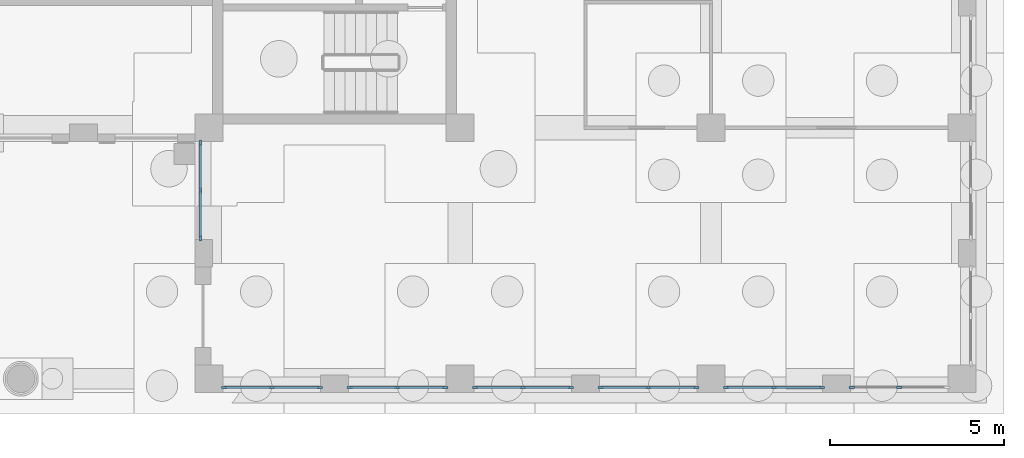
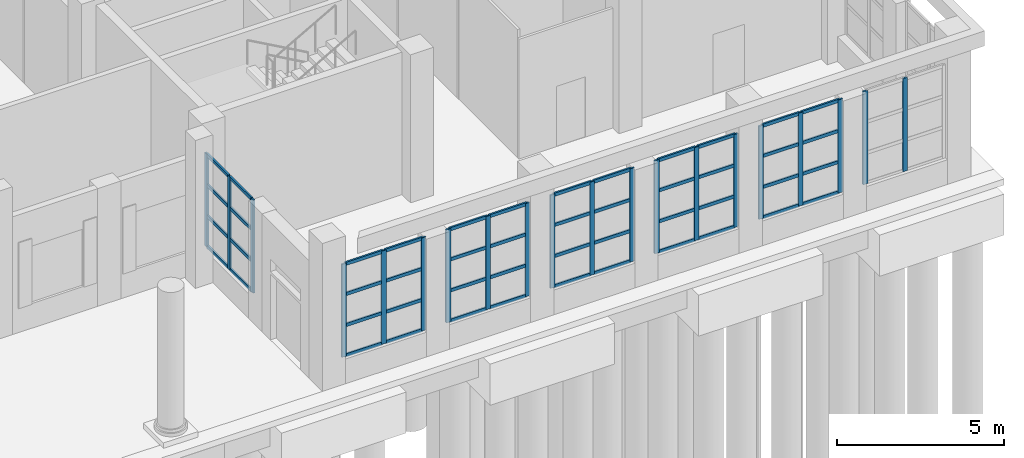
# One storey, part 17 of 80: 68 members, 7 elements without a shape of their own.
"""IFC4 building model written with IfcOpenShell, lengths in metres."""

from ifc_helpers import new_model, si_unit, direction, frame, origin, origin_2d, place, context, subcontext, project, spatial, rectangle, extrude, material, layer, layer_set, material_profile, profile_set, type_object, element, aggregate, save


model = new_model("IFC4")

# Units and contexts
model_context = context("Model", 3, precision=1e-05, world=origin(), true_north=direction((0.0, 1.0)))
body_context = subcontext(model_context, "Body", "Model", "MODEL_VIEW")
ifc_project = project(units=[si_unit("LENGTHUNIT", "METRE"), si_unit("AREAUNIT", "SQUARE_METRE"), si_unit("VOLUMEUNIT", "CUBIC_METRE"), si_unit("PLANEANGLEUNIT", "RADIAN"), si_unit("MASSUNIT", "GRAM", prefix="KILO")], contexts=[model_context])

# Site, building, storey
site_placement = place(None, origin())
site = spatial("IfcSite", under=ifc_project, at=site_placement, CompositionType="ELEMENT")
building_placement = place(site_placement, origin())
building = spatial("IfcBuilding", under=site, at=building_placement, Name="Ussher Court Research Institute", CompositionType="ELEMENT")
storey_placement = place(building_placement, origin())
storey = spatial("IfcBuildingStorey", under=building, at=storey_placement, Name="L00", CompositionType="ELEMENT", Elevation=0.0)

# Curtain wall, members
ifc_material_1 = material(Name="Bronze anodised aluminium with tinted glass", Category="aluminium")
ifc_layer = layer(ifc_material_1, 0.1201171875)
ifc_layer_set = layer_set([ifc_layer], Name="Bronze anodised aluminium with tinted glass")
curtain_wall_type = type_object("IfcCurtainWallType", Name="Curtain wall wet laboratory base storefront", PredefinedType="NOTDEFINED", material=ifc_layer_set)
curtain_wall_1_placement = place(storey_placement, origin())
curtain_wall_1 = element("IfcCurtainWall", 1, at=curtain_wall_1_placement, inside=storey, type_object=curtain_wall_type, Name="Curtain wall CW1 L00", PredefinedType="NOTDEFINED")
ifc_material_2 = material(Name="Bronze anodised aluminium", Category="aluminium")
ifc_material_profile_1 = material_profile(ifc_material_2, rectangle(XDim=0.06005859375, YDim=0.159912109375, at=origin_2d()), Name="Mullion 60x160")
ifc_profile_set_1 = profile_set([ifc_material_profile_1], Name="Bronze anodised aluminium")
member_type_1 = type_object("IfcMemberType", Name="Mullion 60x160", PredefinedType="MULLION", material=ifc_profile_set_1)
member_1_placement = place(storey_placement, frame((102.0, 3.75, 0.89990234375), z_axis=(0.0, 0.0, 1.0), x_axis=(0.0, -1.0, 0.0)))
member_1 = element("IfcMember", 2, at=member_1_placement, type_object=member_type_1, Name="CW1 mullion 2", PredefinedType="MULLION", context=body_context, shape_type="SweptSolid", body=[
    extrude(rectangle(XDim=0.06005859375, YDim=0.159912109375, at=origin_2d()), origin(), (0.0, 0.0, 1.0), 3.400146484375),
])
member_2_placement = place(storey_placement, frame((100.6298828125, 3.75, 0.89990234375), z_axis=(0.0, 0.0, 1.0), x_axis=(0.0, -1.0, 0.0)))
member_2 = element("IfcMember", 3, at=member_2_placement, type_object=member_type_1, Name="CW1 mullion 3", PredefinedType="MULLION", context=body_context, shape_type="SweptSolid", body=[
    extrude(rectangle(XDim=0.06005859375, YDim=0.159912109375, at=origin_2d()), origin(), (0.0, 0.0, 1.0), 3.400146484375),
])
aggregate(curtain_wall_1, [member_1, member_2])

curtain_wall_2_placement = place(storey_placement, origin())
curtain_wall_2 = element("IfcCurtainWall", 4, at=curtain_wall_2_placement, inside=storey, type_object=curtain_wall_type, Name="Curtain wall CW1 L00", PredefinedType="NOTDEFINED")
member_3_placement = place(storey_placement, frame((99.77001953125, 3.75, 0.89990234375), z_axis=(0.0, 0.0, 1.0), x_axis=(0.0, -1.0, 0.0)))
member_3 = element("IfcMember", 5, at=member_3_placement, type_object=member_type_1, Name="CW1 mullion 1", PredefinedType="MULLION", context=body_context, shape_type="SweptSolid", body=[
    extrude(rectangle(XDim=0.06005859375, YDim=0.159912109375, at=origin_2d()), origin(), (0.0, 0.0, 1.0), 3.400146484375),
])
member_4_placement = place(storey_placement, frame((98.39990234375, 3.75, 0.89990234375), z_axis=(0.0, 0.0, 1.0), x_axis=(0.0, -1.0, 0.0)))
member_4 = element("IfcMember", 6, at=member_4_placement, type_object=member_type_1, Name="CW1 mullion 2", PredefinedType="MULLION", context=body_context, shape_type="SweptSolid", body=[
    extrude(rectangle(XDim=0.06005859375, YDim=0.159912109375, at=origin_2d()), origin(), (0.0, 0.0, 1.0), 3.400146484375),
])
member_5_placement = place(storey_placement, frame((97.030029296875, 3.75, 0.89990234375), z_axis=(0.0, 0.0, 1.0), x_axis=(0.0, -1.0, 0.0)))
member_5 = element("IfcMember", 7, at=member_5_placement, type_object=member_type_1, Name="CW1 mullion 3", PredefinedType="MULLION", context=body_context, shape_type="SweptSolid", body=[
    extrude(rectangle(XDim=0.06005859375, YDim=0.159912109375, at=origin_2d()), origin(), (0.0, 0.0, 1.0), 3.400146484375),
])

curtain_wall_3_placement = place(storey_placement, origin())
curtain_wall_3 = element("IfcCurtainWall", 8, at=curtain_wall_3_placement, inside=storey, type_object=curtain_wall_type, Name="Curtain wall CW1 L00", PredefinedType="NOTDEFINED")
member_6_placement = place(storey_placement, frame((96.169921875, 3.75, 0.89990234375), z_axis=(0.0, 0.0, 1.0), x_axis=(0.0, -1.0, 0.0)))
member_6 = element("IfcMember", 9, at=member_6_placement, type_object=member_type_1, Name="CW1 mullion 1", PredefinedType="MULLION", context=body_context, shape_type="SweptSolid", body=[
    extrude(rectangle(XDim=0.06005859375, YDim=0.159912109375, at=origin_2d()), origin(), (0.0, 0.0, 1.0), 3.400146484375),
])
member_7_placement = place(storey_placement, frame((94.800048828125, 3.75, 0.89990234375), z_axis=(0.0, 0.0, 1.0), x_axis=(0.0, -1.0, 0.0)))
member_7 = element("IfcMember", 10, at=member_7_placement, type_object=member_type_1, Name="CW1 mullion 2", PredefinedType="MULLION", context=body_context, shape_type="SweptSolid", body=[
    extrude(rectangle(XDim=0.06005859375, YDim=0.159912109375, at=origin_2d()), origin(), (0.0, 0.0, 1.0), 3.400146484375),
])
member_8_placement = place(storey_placement, frame((93.429931640625, 3.75, 0.89990234375), z_axis=(0.0, 0.0, 1.0), x_axis=(0.0, -1.0, 0.0)))
member_8 = element("IfcMember", 11, at=member_8_placement, type_object=member_type_1, Name="CW1 mullion 3", PredefinedType="MULLION", context=body_context, shape_type="SweptSolid", body=[
    extrude(rectangle(XDim=0.06005859375, YDim=0.159912109375, at=origin_2d()), origin(), (0.0, 0.0, 1.0), 3.400146484375),
])

curtain_wall_4_placement = place(storey_placement, origin())
curtain_wall_4 = element("IfcCurtainWall", 12, at=curtain_wall_4_placement, inside=storey, type_object=curtain_wall_type, Name="Curtain wall CW1 L00", PredefinedType="NOTDEFINED")
member_9_placement = place(storey_placement, frame((92.570068359375, 3.75, 0.89990234375), z_axis=(0.0, 0.0, 1.0), x_axis=(0.0, -1.0, 0.0)))
member_9 = element("IfcMember", 13, at=member_9_placement, type_object=member_type_1, Name="CW1 mullion 1", PredefinedType="MULLION", context=body_context, shape_type="SweptSolid", body=[
    extrude(rectangle(XDim=0.06005859375, YDim=0.159912109375, at=origin_2d()), origin(), (0.0, 0.0, 1.0), 3.400146484375),
])
member_10_placement = place(storey_placement, frame((91.199951171875, 3.75, 0.89990234375), z_axis=(0.0, 0.0, 1.0), x_axis=(0.0, -1.0, 0.0)))
member_10 = element("IfcMember", 14, at=member_10_placement, type_object=member_type_1, Name="CW1 mullion 2", PredefinedType="MULLION", context=body_context, shape_type="SweptSolid", body=[
    extrude(rectangle(XDim=0.06005859375, YDim=0.159912109375, at=origin_2d()), origin(), (0.0, 0.0, 1.0), 3.400146484375),
])
member_11_placement = place(storey_placement, frame((89.830078125, 3.75, 0.89990234375), z_axis=(0.0, 0.0, 1.0), x_axis=(0.0, -1.0, 0.0)))
member_11 = element("IfcMember", 15, at=member_11_placement, type_object=member_type_1, Name="CW1 mullion 3", PredefinedType="MULLION", context=body_context, shape_type="SweptSolid", body=[
    extrude(rectangle(XDim=0.06005859375, YDim=0.159912109375, at=origin_2d()), origin(), (0.0, 0.0, 1.0), 3.400146484375),
])

curtain_wall_5_placement = place(storey_placement, origin())
curtain_wall_5 = element("IfcCurtainWall", 16, at=curtain_wall_5_placement, inside=storey, type_object=curtain_wall_type, Name="Curtain wall CW1 L00", PredefinedType="NOTDEFINED")
member_12_placement = place(storey_placement, frame((88.969970703125, 3.75, 0.89990234375), z_axis=(0.0, 0.0, 1.0), x_axis=(0.0, -1.0, 0.0)))
member_12 = element("IfcMember", 17, at=member_12_placement, type_object=member_type_1, Name="CW1 mullion 1", PredefinedType="MULLION", context=body_context, shape_type="SweptSolid", body=[
    extrude(rectangle(XDim=0.06005859375, YDim=0.159912109375, at=origin_2d()), origin(), (0.0, 0.0, 1.0), 3.400146484375),
])
member_13_placement = place(storey_placement, frame((87.60009765625, 3.75, 0.89990234375), z_axis=(0.0, 0.0, 1.0), x_axis=(0.0, -1.0, 0.0)))
member_13 = element("IfcMember", 18, at=member_13_placement, type_object=member_type_1, Name="CW1 mullion 2", PredefinedType="MULLION", context=body_context, shape_type="SweptSolid", body=[
    extrude(rectangle(XDim=0.06005859375, YDim=0.159912109375, at=origin_2d()), origin(), (0.0, 0.0, 1.0), 3.400146484375),
])
member_14_placement = place(storey_placement, frame((86.22998046875, 3.75, 0.89990234375), z_axis=(0.0, 0.0, 1.0), x_axis=(0.0, -1.0, 0.0)))
member_14 = element("IfcMember", 19, at=member_14_placement, type_object=member_type_1, Name="CW1 mullion 3", PredefinedType="MULLION", context=body_context, shape_type="SweptSolid", body=[
    extrude(rectangle(XDim=0.06005859375, YDim=0.159912109375, at=origin_2d()), origin(), (0.0, 0.0, 1.0), 3.400146484375),
])

curtain_wall_6_placement = place(storey_placement, origin())
curtain_wall_6 = element("IfcCurtainWall", 20, at=curtain_wall_6_placement, inside=storey, type_object=curtain_wall_type, Name="Curtain wall CW1 L00", PredefinedType="NOTDEFINED")
member_15_placement = place(storey_placement, frame((85.3701171875, 3.75, 0.89990234375), z_axis=(0.0, 0.0, 1.0), x_axis=(0.0, -1.0, 0.0)))
member_15 = element("IfcMember", 21, at=member_15_placement, type_object=member_type_1, Name="CW1 mullion 1", PredefinedType="MULLION", context=body_context, shape_type="SweptSolid", body=[
    extrude(rectangle(XDim=0.06005859375, YDim=0.159912109375, at=origin_2d()), origin(), (0.0, 0.0, 1.0), 3.400146484375),
])
member_16_placement = place(storey_placement, frame((84.0, 3.75, 0.89990234375), z_axis=(0.0, 0.0, 1.0), x_axis=(0.0, -1.0, 0.0)))
member_16 = element("IfcMember", 22, at=member_16_placement, type_object=member_type_1, Name="CW1 mullion 2", PredefinedType="MULLION", context=body_context, shape_type="SweptSolid", body=[
    extrude(rectangle(XDim=0.06005859375, YDim=0.159912109375, at=origin_2d()), origin(), (0.0, 0.0, 1.0), 3.400146484375),
])
member_17_placement = place(storey_placement, frame((82.6298828125, 3.75, 0.89990234375), z_axis=(0.0, 0.0, 1.0), x_axis=(0.0, -1.0, 0.0)))
member_17 = element("IfcMember", 23, at=member_17_placement, type_object=member_type_1, Name="CW1 mullion 3", PredefinedType="MULLION", context=body_context, shape_type="SweptSolid", body=[
    extrude(rectangle(XDim=0.06005859375, YDim=0.159912109375, at=origin_2d()), origin(), (0.0, 0.0, 1.0), 3.400146484375),
])

curtain_wall_7_placement = place(storey_placement, origin())
curtain_wall_7 = element("IfcCurtainWall", 24, at=curtain_wall_7_placement, inside=storey, type_object=curtain_wall_type, Name="Curtain wall CW1 L00", PredefinedType="NOTDEFINED")
member_18_placement = place(storey_placement, frame((81.949951171875, 8.030029296875, 0.89990234375), z_axis=(0.0, 0.0, 1.0), x_axis=(-1.0, 0.0, 0.0)))
member_18 = element("IfcMember", 25, at=member_18_placement, type_object=member_type_1, Name="CW1 mullion 1", PredefinedType="MULLION", context=body_context, shape_type="SweptSolid", body=[
    extrude(rectangle(XDim=0.06005859375, YDim=0.159912109375, at=origin_2d()), origin(), (0.0, 0.0, 1.0), 3.400146484375),
])
member_19_placement = place(storey_placement, frame((81.949951171875, 9.39990234375, 0.89990234375), z_axis=(0.0, 0.0, 1.0), x_axis=(-1.0, 0.0, 0.0)))
member_19 = element("IfcMember", 26, at=member_19_placement, type_object=member_type_1, Name="CW1 mullion 2", PredefinedType="MULLION", context=body_context, shape_type="SweptSolid", body=[
    extrude(rectangle(XDim=0.06005859375, YDim=0.159912109375, at=origin_2d()), origin(), (0.0, 0.0, 1.0), 3.400146484375),
])
member_20_placement = place(storey_placement, frame((81.949951171875, 10.77001953125, 0.89990234375), z_axis=(0.0, 0.0, 1.0), x_axis=(-1.0, 0.0, 0.0)))
member_20 = element("IfcMember", 27, at=member_20_placement, type_object=member_type_1, Name="CW1 mullion 3", PredefinedType="MULLION", context=body_context, shape_type="SweptSolid", body=[
    extrude(rectangle(XDim=0.06005859375, YDim=0.159912109375, at=origin_2d()), origin(), (0.0, 0.0, 1.0), 3.400146484375),
])

# Member
ifc_material_3 = material(Name="Bronze anodised aluminium", Category="aluminium")
ifc_material_profile_2 = material_profile(ifc_material_3, rectangle(XDim=0.06005859375, YDim=0.1201171875, at=origin_2d()), Name="Transom 60x120")
ifc_profile_set_2 = profile_set([ifc_material_profile_2], Name="Bronze anodised aluminium")
member_type_2 = type_object("IfcMemberType", Name="Transom 60x120", PredefinedType="USERDEFINED", material=ifc_profile_set_2)
member_21_placement = place(storey_placement, frame((99.739990234375, 3.75, 0.929931640625), z_axis=(-1.0, 0.0, 0.0), x_axis=(0.0, -1.0, 0.0)))
member_21 = element("IfcMember", 28, at=member_21_placement, type_object=member_type_2, Name="CW1 transom 1.1", ObjectType="TRANSOM", PredefinedType="USERDEFINED", context=body_context, shape_type="SweptSolid", body=[
    extrude(rectangle(XDim=0.06005859375, YDim=0.1201171875, at=origin_2d()), origin(), (0.0, 0.0, 1.0), 1.31005859375),
])

member_22_placement = place(storey_placement, frame((99.739990234375, 3.75, 2.033203125), z_axis=(-1.0, 0.0, 0.0), x_axis=(0.0, -1.0, 0.0)))
member_22 = element("IfcMember", 29, at=member_22_placement, type_object=member_type_2, Name="CW1 transom 1.2", ObjectType="TRANSOM", PredefinedType="USERDEFINED", context=body_context, shape_type="SweptSolid", body=[
    extrude(rectangle(XDim=0.06005859375, YDim=0.1201171875, at=origin_2d()), origin(), (0.0, 0.0, 1.0), 1.31005859375),
])

member_23_placement = place(storey_placement, frame((99.739990234375, 3.75, 3.166748046875), z_axis=(-1.0, 0.0, 0.0), x_axis=(0.0, -1.0, 0.0)))
member_23 = element("IfcMember", 30, at=member_23_placement, type_object=member_type_2, Name="CW1 transom 1.3", ObjectType="TRANSOM", PredefinedType="USERDEFINED", context=body_context, shape_type="SweptSolid", body=[
    extrude(rectangle(XDim=0.06005859375, YDim=0.1201171875, at=origin_2d()), origin(), (0.0, 0.0, 1.0), 1.31005859375),
])

member_24_placement = place(storey_placement, frame((99.739990234375, 3.75, 4.27001953125), z_axis=(-1.0, 0.0, 0.0), x_axis=(0.0, -1.0, 0.0)))
member_24 = element("IfcMember", 31, at=member_24_placement, type_object=member_type_2, Name="CW1 transom 1.4", ObjectType="TRANSOM", PredefinedType="USERDEFINED", context=body_context, shape_type="SweptSolid", body=[
    extrude(rectangle(XDim=0.06005859375, YDim=0.1201171875, at=origin_2d()), origin(), (0.0, 0.0, 1.0), 1.31005859375),
])

member_25_placement = place(storey_placement, frame((98.3701171875, 3.75, 0.929931640625), z_axis=(-1.0, 0.0, 0.0), x_axis=(0.0, -1.0, 0.0)))
member_25 = element("IfcMember", 32, at=member_25_placement, type_object=member_type_2, Name="CW1 transom 2.1", ObjectType="TRANSOM", PredefinedType="USERDEFINED", context=body_context, shape_type="SweptSolid", body=[
    extrude(rectangle(XDim=0.06005859375, YDim=0.1201171875, at=origin_2d()), origin(), (0.0, 0.0, 1.0), 1.31005859375),
])

member_26_placement = place(storey_placement, frame((98.3701171875, 3.75, 2.033203125), z_axis=(-1.0, 0.0, 0.0), x_axis=(0.0, -1.0, 0.0)))
member_26 = element("IfcMember", 33, at=member_26_placement, type_object=member_type_2, Name="CW1 transom 2.2", ObjectType="TRANSOM", PredefinedType="USERDEFINED", context=body_context, shape_type="SweptSolid", body=[
    extrude(rectangle(XDim=0.06005859375, YDim=0.1201171875, at=origin_2d()), origin(), (0.0, 0.0, 1.0), 1.31005859375),
])

member_27_placement = place(storey_placement, frame((98.3701171875, 3.75, 3.166748046875), z_axis=(-1.0, 0.0, 0.0), x_axis=(0.0, -1.0, 0.0)))
member_27 = element("IfcMember", 34, at=member_27_placement, type_object=member_type_2, Name="CW1 transom 2.3", ObjectType="TRANSOM", PredefinedType="USERDEFINED", context=body_context, shape_type="SweptSolid", body=[
    extrude(rectangle(XDim=0.06005859375, YDim=0.1201171875, at=origin_2d()), origin(), (0.0, 0.0, 1.0), 1.31005859375),
])

member_28_placement = place(storey_placement, frame((98.3701171875, 3.75, 4.27001953125), z_axis=(-1.0, 0.0, 0.0), x_axis=(0.0, -1.0, 0.0)))
member_28 = element("IfcMember", 35, at=member_28_placement, type_object=member_type_2, Name="CW1 transom 2.4", ObjectType="TRANSOM", PredefinedType="USERDEFINED", context=body_context, shape_type="SweptSolid", body=[
    extrude(rectangle(XDim=0.06005859375, YDim=0.1201171875, at=origin_2d()), origin(), (0.0, 0.0, 1.0), 1.31005859375),
])

aggregate(curtain_wall_2, [member_3, member_4, member_5, member_21, member_22, member_23, member_24, member_25, member_26, member_27, member_28])

member_29_placement = place(storey_placement, frame((96.139892578125, 3.75, 0.929931640625), z_axis=(-1.0, 0.0, 0.0), x_axis=(0.0, -1.0, 0.0)))
member_29 = element("IfcMember", 36, at=member_29_placement, type_object=member_type_2, Name="CW1 transom 1.1", ObjectType="TRANSOM", PredefinedType="USERDEFINED", context=body_context, shape_type="SweptSolid", body=[
    extrude(rectangle(XDim=0.06005859375, YDim=0.1201171875, at=origin_2d()), origin(), (0.0, 0.0, 1.0), 1.309814453125),
])

member_30_placement = place(storey_placement, frame((96.139892578125, 3.75, 2.033203125), z_axis=(-1.0, 0.0, 0.0), x_axis=(0.0, -1.0, 0.0)))
member_30 = element("IfcMember", 37, at=member_30_placement, type_object=member_type_2, Name="CW1 transom 1.2", ObjectType="TRANSOM", PredefinedType="USERDEFINED", context=body_context, shape_type="SweptSolid", body=[
    extrude(rectangle(XDim=0.06005859375, YDim=0.1201171875, at=origin_2d()), origin(), (0.0, 0.0, 1.0), 1.309814453125),
])

member_31_placement = place(storey_placement, frame((96.139892578125, 3.75, 3.166748046875), z_axis=(-1.0, 0.0, 0.0), x_axis=(0.0, -1.0, 0.0)))
member_31 = element("IfcMember", 38, at=member_31_placement, type_object=member_type_2, Name="CW1 transom 1.3", ObjectType="TRANSOM", PredefinedType="USERDEFINED", context=body_context, shape_type="SweptSolid", body=[
    extrude(rectangle(XDim=0.06005859375, YDim=0.1201171875, at=origin_2d()), origin(), (0.0, 0.0, 1.0), 1.309814453125),
])

member_32_placement = place(storey_placement, frame((96.139892578125, 3.75, 4.27001953125), z_axis=(-1.0, 0.0, 0.0), x_axis=(0.0, -1.0, 0.0)))
member_32 = element("IfcMember", 39, at=member_32_placement, type_object=member_type_2, Name="CW1 transom 1.4", ObjectType="TRANSOM", PredefinedType="USERDEFINED", context=body_context, shape_type="SweptSolid", body=[
    extrude(rectangle(XDim=0.06005859375, YDim=0.1201171875, at=origin_2d()), origin(), (0.0, 0.0, 1.0), 1.309814453125),
])

member_33_placement = place(storey_placement, frame((94.77001953125, 3.75, 0.929931640625), z_axis=(-1.0, 0.0, 0.0), x_axis=(0.0, -1.0, 0.0)))
member_33 = element("IfcMember", 40, at=member_33_placement, type_object=member_type_2, Name="CW1 transom 2.1", ObjectType="TRANSOM", PredefinedType="USERDEFINED", context=body_context, shape_type="SweptSolid", body=[
    extrude(rectangle(XDim=0.06005859375, YDim=0.1201171875, at=origin_2d()), origin(), (0.0, 0.0, 1.0), 1.31005859375),
])

member_34_placement = place(storey_placement, frame((94.77001953125, 3.75, 2.033203125), z_axis=(-1.0, 0.0, 0.0), x_axis=(0.0, -1.0, 0.0)))
member_34 = element("IfcMember", 41, at=member_34_placement, type_object=member_type_2, Name="CW1 transom 2.2", ObjectType="TRANSOM", PredefinedType="USERDEFINED", context=body_context, shape_type="SweptSolid", body=[
    extrude(rectangle(XDim=0.06005859375, YDim=0.1201171875, at=origin_2d()), origin(), (0.0, 0.0, 1.0), 1.31005859375),
])

member_35_placement = place(storey_placement, frame((94.77001953125, 3.75, 3.166748046875), z_axis=(-1.0, 0.0, 0.0), x_axis=(0.0, -1.0, 0.0)))
member_35 = element("IfcMember", 42, at=member_35_placement, type_object=member_type_2, Name="CW1 transom 2.3", ObjectType="TRANSOM", PredefinedType="USERDEFINED", context=body_context, shape_type="SweptSolid", body=[
    extrude(rectangle(XDim=0.06005859375, YDim=0.1201171875, at=origin_2d()), origin(), (0.0, 0.0, 1.0), 1.31005859375),
])

member_36_placement = place(storey_placement, frame((94.77001953125, 3.75, 4.27001953125), z_axis=(-1.0, 0.0, 0.0), x_axis=(0.0, -1.0, 0.0)))
member_36 = element("IfcMember", 43, at=member_36_placement, type_object=member_type_2, Name="CW1 transom 2.4", ObjectType="TRANSOM", PredefinedType="USERDEFINED", context=body_context, shape_type="SweptSolid", body=[
    extrude(rectangle(XDim=0.06005859375, YDim=0.1201171875, at=origin_2d()), origin(), (0.0, 0.0, 1.0), 1.31005859375),
])

aggregate(curtain_wall_3, [member_6, member_7, member_8, member_29, member_30, member_31, member_32, member_33, member_34, member_35, member_36])

member_37_placement = place(storey_placement, frame((92.5400390625, 3.75, 0.929931640625), z_axis=(-1.0, 0.0, 0.0), x_axis=(0.0, -1.0, 0.0)))
member_37 = element("IfcMember", 44, at=member_37_placement, type_object=member_type_2, Name="CW1 transom 1.1", ObjectType="TRANSOM", PredefinedType="USERDEFINED", context=body_context, shape_type="SweptSolid", body=[
    extrude(rectangle(XDim=0.06005859375, YDim=0.1201171875, at=origin_2d()), origin(), (0.0, 0.0, 1.0), 1.31005859375),
])

member_38_placement = place(storey_placement, frame((92.5400390625, 3.75, 2.033203125), z_axis=(-1.0, 0.0, 0.0), x_axis=(0.0, -1.0, 0.0)))
member_38 = element("IfcMember", 45, at=member_38_placement, type_object=member_type_2, Name="CW1 transom 1.2", ObjectType="TRANSOM", PredefinedType="USERDEFINED", context=body_context, shape_type="SweptSolid", body=[
    extrude(rectangle(XDim=0.06005859375, YDim=0.1201171875, at=origin_2d()), origin(), (0.0, 0.0, 1.0), 1.31005859375),
])

member_39_placement = place(storey_placement, frame((92.5400390625, 3.75, 3.166748046875), z_axis=(-1.0, 0.0, 0.0), x_axis=(0.0, -1.0, 0.0)))
member_39 = element("IfcMember", 46, at=member_39_placement, type_object=member_type_2, Name="CW1 transom 1.3", ObjectType="TRANSOM", PredefinedType="USERDEFINED", context=body_context, shape_type="SweptSolid", body=[
    extrude(rectangle(XDim=0.06005859375, YDim=0.1201171875, at=origin_2d()), origin(), (0.0, 0.0, 1.0), 1.31005859375),
])

member_40_placement = place(storey_placement, frame((92.5400390625, 3.75, 4.27001953125), z_axis=(-1.0, 0.0, 0.0), x_axis=(0.0, -1.0, 0.0)))
member_40 = element("IfcMember", 47, at=member_40_placement, type_object=member_type_2, Name="CW1 transom 1.4", ObjectType="TRANSOM", PredefinedType="USERDEFINED", context=body_context, shape_type="SweptSolid", body=[
    extrude(rectangle(XDim=0.06005859375, YDim=0.1201171875, at=origin_2d()), origin(), (0.0, 0.0, 1.0), 1.31005859375),
])

member_41_placement = place(storey_placement, frame((91.169921875, 3.75, 0.929931640625), z_axis=(-1.0, 0.0, 0.0), x_axis=(0.0, -1.0, 0.0)))
member_41 = element("IfcMember", 48, at=member_41_placement, type_object=member_type_2, Name="CW1 transom 2.1", ObjectType="TRANSOM", PredefinedType="USERDEFINED", context=body_context, shape_type="SweptSolid", body=[
    extrude(rectangle(XDim=0.06005859375, YDim=0.1201171875, at=origin_2d()), origin(), (0.0, 0.0, 1.0), 1.309814453125),
])

member_42_placement = place(storey_placement, frame((91.169921875, 3.75, 2.033203125), z_axis=(-1.0, 0.0, 0.0), x_axis=(0.0, -1.0, 0.0)))
member_42 = element("IfcMember", 49, at=member_42_placement, type_object=member_type_2, Name="CW1 transom 2.2", ObjectType="TRANSOM", PredefinedType="USERDEFINED", context=body_context, shape_type="SweptSolid", body=[
    extrude(rectangle(XDim=0.06005859375, YDim=0.1201171875, at=origin_2d()), origin(), (0.0, 0.0, 1.0), 1.309814453125),
])

member_43_placement = place(storey_placement, frame((91.169921875, 3.75, 3.166748046875), z_axis=(-1.0, 0.0, 0.0), x_axis=(0.0, -1.0, 0.0)))
member_43 = element("IfcMember", 50, at=member_43_placement, type_object=member_type_2, Name="CW1 transom 2.3", ObjectType="TRANSOM", PredefinedType="USERDEFINED", context=body_context, shape_type="SweptSolid", body=[
    extrude(rectangle(XDim=0.06005859375, YDim=0.1201171875, at=origin_2d()), origin(), (0.0, 0.0, 1.0), 1.309814453125),
])

member_44_placement = place(storey_placement, frame((91.169921875, 3.75, 4.27001953125), z_axis=(-1.0, 0.0, 0.0), x_axis=(0.0, -1.0, 0.0)))
member_44 = element("IfcMember", 51, at=member_44_placement, type_object=member_type_2, Name="CW1 transom 2.4", ObjectType="TRANSOM", PredefinedType="USERDEFINED", context=body_context, shape_type="SweptSolid", body=[
    extrude(rectangle(XDim=0.06005859375, YDim=0.1201171875, at=origin_2d()), origin(), (0.0, 0.0, 1.0), 1.309814453125),
])

aggregate(curtain_wall_4, [member_9, member_10, member_11, member_37, member_38, member_39, member_40, member_41, member_42, member_43, member_44])

member_45_placement = place(storey_placement, frame((88.93994140625, 3.75, 0.929931640625), z_axis=(-1.0, 0.0, 0.0), x_axis=(0.0, -1.0, 0.0)))
member_45 = element("IfcMember", 52, at=member_45_placement, type_object=member_type_2, Name="CW1 transom 1.1", ObjectType="TRANSOM", PredefinedType="USERDEFINED", context=body_context, shape_type="SweptSolid", body=[
    extrude(rectangle(XDim=0.06005859375, YDim=0.1201171875, at=origin_2d()), origin(), (0.0, 0.0, 1.0), 1.31005859375),
])

member_46_placement = place(storey_placement, frame((88.93994140625, 3.75, 2.033203125), z_axis=(-1.0, 0.0, 0.0), x_axis=(0.0, -1.0, 0.0)))
member_46 = element("IfcMember", 53, at=member_46_placement, type_object=member_type_2, Name="CW1 transom 1.2", ObjectType="TRANSOM", PredefinedType="USERDEFINED", context=body_context, shape_type="SweptSolid", body=[
    extrude(rectangle(XDim=0.06005859375, YDim=0.1201171875, at=origin_2d()), origin(), (0.0, 0.0, 1.0), 1.31005859375),
])

member_47_placement = place(storey_placement, frame((88.93994140625, 3.75, 3.166748046875), z_axis=(-1.0, 0.0, 0.0), x_axis=(0.0, -1.0, 0.0)))
member_47 = element("IfcMember", 54, at=member_47_placement, type_object=member_type_2, Name="CW1 transom 1.3", ObjectType="TRANSOM", PredefinedType="USERDEFINED", context=body_context, shape_type="SweptSolid", body=[
    extrude(rectangle(XDim=0.06005859375, YDim=0.1201171875, at=origin_2d()), origin(), (0.0, 0.0, 1.0), 1.31005859375),
])

member_48_placement = place(storey_placement, frame((88.93994140625, 3.75, 4.27001953125), z_axis=(-1.0, 0.0, 0.0), x_axis=(0.0, -1.0, 0.0)))
member_48 = element("IfcMember", 55, at=member_48_placement, type_object=member_type_2, Name="CW1 transom 1.4", ObjectType="TRANSOM", PredefinedType="USERDEFINED", context=body_context, shape_type="SweptSolid", body=[
    extrude(rectangle(XDim=0.06005859375, YDim=0.1201171875, at=origin_2d()), origin(), (0.0, 0.0, 1.0), 1.31005859375),
])

member_49_placement = place(storey_placement, frame((87.570068359375, 3.75, 0.929931640625), z_axis=(-1.0, 0.0, 0.0), x_axis=(0.0, -1.0, 0.0)))
member_49 = element("IfcMember", 56, at=member_49_placement, type_object=member_type_2, Name="CW1 transom 2.1", ObjectType="TRANSOM", PredefinedType="USERDEFINED", context=body_context, shape_type="SweptSolid", body=[
    extrude(rectangle(XDim=0.06005859375, YDim=0.1201171875, at=origin_2d()), origin(), (0.0, 0.0, 1.0), 1.31005859375),
])

member_50_placement = place(storey_placement, frame((87.570068359375, 3.75, 2.033203125), z_axis=(-1.0, 0.0, 0.0), x_axis=(0.0, -1.0, 0.0)))
member_50 = element("IfcMember", 57, at=member_50_placement, type_object=member_type_2, Name="CW1 transom 2.2", ObjectType="TRANSOM", PredefinedType="USERDEFINED", context=body_context, shape_type="SweptSolid", body=[
    extrude(rectangle(XDim=0.06005859375, YDim=0.1201171875, at=origin_2d()), origin(), (0.0, 0.0, 1.0), 1.31005859375),
])

member_51_placement = place(storey_placement, frame((87.570068359375, 3.75, 3.166748046875), z_axis=(-1.0, 0.0, 0.0), x_axis=(0.0, -1.0, 0.0)))
member_51 = element("IfcMember", 58, at=member_51_placement, type_object=member_type_2, Name="CW1 transom 2.3", ObjectType="TRANSOM", PredefinedType="USERDEFINED", context=body_context, shape_type="SweptSolid", body=[
    extrude(rectangle(XDim=0.06005859375, YDim=0.1201171875, at=origin_2d()), origin(), (0.0, 0.0, 1.0), 1.31005859375),
])

member_52_placement = place(storey_placement, frame((87.570068359375, 3.75, 4.27001953125), z_axis=(-1.0, 0.0, 0.0), x_axis=(0.0, -1.0, 0.0)))
member_52 = element("IfcMember", 59, at=member_52_placement, type_object=member_type_2, Name="CW1 transom 2.4", ObjectType="TRANSOM", PredefinedType="USERDEFINED", context=body_context, shape_type="SweptSolid", body=[
    extrude(rectangle(XDim=0.06005859375, YDim=0.1201171875, at=origin_2d()), origin(), (0.0, 0.0, 1.0), 1.31005859375),
])

aggregate(curtain_wall_5, [member_12, member_13, member_14, member_45, member_46, member_47, member_48, member_49, member_50, member_51, member_52])

member_53_placement = place(storey_placement, frame((85.340087890625, 3.75, 0.929931640625), z_axis=(-1.0, 0.0, 0.0), x_axis=(0.0, -1.0, 0.0)))
member_53 = element("IfcMember", 60, at=member_53_placement, type_object=member_type_2, Name="CW1 transom 1.1", ObjectType="TRANSOM", PredefinedType="USERDEFINED", context=body_context, shape_type="SweptSolid", body=[
    extrude(rectangle(XDim=0.06005859375, YDim=0.1201171875, at=origin_2d()), origin(), (0.0, 0.0, 1.0), 1.31005859375),
])

member_54_placement = place(storey_placement, frame((85.340087890625, 3.75, 2.033203125), z_axis=(-1.0, 0.0, 0.0), x_axis=(0.0, -1.0, 0.0)))
member_54 = element("IfcMember", 61, at=member_54_placement, type_object=member_type_2, Name="CW1 transom 1.2", ObjectType="TRANSOM", PredefinedType="USERDEFINED", context=body_context, shape_type="SweptSolid", body=[
    extrude(rectangle(XDim=0.06005859375, YDim=0.1201171875, at=origin_2d()), origin(), (0.0, 0.0, 1.0), 1.31005859375),
])

member_55_placement = place(storey_placement, frame((85.340087890625, 3.75, 3.166748046875), z_axis=(-1.0, 0.0, 0.0), x_axis=(0.0, -1.0, 0.0)))
member_55 = element("IfcMember", 62, at=member_55_placement, type_object=member_type_2, Name="CW1 transom 1.3", ObjectType="TRANSOM", PredefinedType="USERDEFINED", context=body_context, shape_type="SweptSolid", body=[
    extrude(rectangle(XDim=0.06005859375, YDim=0.1201171875, at=origin_2d()), origin(), (0.0, 0.0, 1.0), 1.31005859375),
])

member_56_placement = place(storey_placement, frame((85.340087890625, 3.75, 4.27001953125), z_axis=(-1.0, 0.0, 0.0), x_axis=(0.0, -1.0, 0.0)))
member_56 = element("IfcMember", 63, at=member_56_placement, type_object=member_type_2, Name="CW1 transom 1.4", ObjectType="TRANSOM", PredefinedType="USERDEFINED", context=body_context, shape_type="SweptSolid", body=[
    extrude(rectangle(XDim=0.06005859375, YDim=0.1201171875, at=origin_2d()), origin(), (0.0, 0.0, 1.0), 1.31005859375),
])

member_57_placement = place(storey_placement, frame((83.969970703125, 3.75, 0.929931640625), z_axis=(-1.0, 0.0, 0.0), x_axis=(0.0, -1.0, 0.0)))
member_57 = element("IfcMember", 64, at=member_57_placement, type_object=member_type_2, Name="CW1 transom 2.1", ObjectType="TRANSOM", PredefinedType="USERDEFINED", context=body_context, shape_type="SweptSolid", body=[
    extrude(rectangle(XDim=0.06005859375, YDim=0.1201171875, at=origin_2d()), origin(), (0.0, 0.0, 1.0), 1.31005859375),
])

member_58_placement = place(storey_placement, frame((83.969970703125, 3.75, 2.033203125), z_axis=(-1.0, 0.0, 0.0), x_axis=(0.0, -1.0, 0.0)))
member_58 = element("IfcMember", 65, at=member_58_placement, type_object=member_type_2, Name="CW1 transom 2.2", ObjectType="TRANSOM", PredefinedType="USERDEFINED", context=body_context, shape_type="SweptSolid", body=[
    extrude(rectangle(XDim=0.06005859375, YDim=0.1201171875, at=origin_2d()), origin(), (0.0, 0.0, 1.0), 1.31005859375),
])

member_59_placement = place(storey_placement, frame((83.969970703125, 3.75, 3.166748046875), z_axis=(-1.0, 0.0, 0.0), x_axis=(0.0, -1.0, 0.0)))
member_59 = element("IfcMember", 66, at=member_59_placement, type_object=member_type_2, Name="CW1 transom 2.3", ObjectType="TRANSOM", PredefinedType="USERDEFINED", context=body_context, shape_type="SweptSolid", body=[
    extrude(rectangle(XDim=0.06005859375, YDim=0.1201171875, at=origin_2d()), origin(), (0.0, 0.0, 1.0), 1.31005859375),
])

member_60_placement = place(storey_placement, frame((83.969970703125, 3.75, 4.27001953125), z_axis=(-1.0, 0.0, 0.0), x_axis=(0.0, -1.0, 0.0)))
member_60 = element("IfcMember", 67, at=member_60_placement, type_object=member_type_2, Name="CW1 transom 2.4", ObjectType="TRANSOM", PredefinedType="USERDEFINED", context=body_context, shape_type="SweptSolid", body=[
    extrude(rectangle(XDim=0.06005859375, YDim=0.1201171875, at=origin_2d()), origin(), (0.0, 0.0, 1.0), 1.31005859375),
])

aggregate(curtain_wall_6, [member_15, member_16, member_17, member_53, member_54, member_55, member_56, member_57, member_58, member_59, member_60])

member_61_placement = place(storey_placement, frame((81.949951171875, 8.06005859375, 0.929931640625), z_axis=(0.0, 1.0, 0.0), x_axis=(-1.0, 0.0, 0.0)))
member_61 = element("IfcMember", 68, at=member_61_placement, type_object=member_type_2, Name="CW1 transom 1.1", ObjectType="TRANSOM", PredefinedType="USERDEFINED", context=body_context, shape_type="SweptSolid", body=[
    extrude(rectangle(XDim=0.06005859375, YDim=0.1201171875, at=origin_2d()), origin(), (0.0, 0.0, 1.0), 1.31005859375),
])

member_62_placement = place(storey_placement, frame((81.949951171875, 8.06005859375, 2.033203125), z_axis=(0.0, 1.0, 0.0), x_axis=(-1.0, 0.0, 0.0)))
member_62 = element("IfcMember", 69, at=member_62_placement, type_object=member_type_2, Name="CW1 transom 1.2", ObjectType="TRANSOM", PredefinedType="USERDEFINED", context=body_context, shape_type="SweptSolid", body=[
    extrude(rectangle(XDim=0.06005859375, YDim=0.1201171875, at=origin_2d()), origin(), (0.0, 0.0, 1.0), 1.31005859375),
])

member_63_placement = place(storey_placement, frame((81.949951171875, 8.06005859375, 3.166748046875), z_axis=(0.0, 1.0, 0.0), x_axis=(-1.0, 0.0, 0.0)))
member_63 = element("IfcMember", 70, at=member_63_placement, type_object=member_type_2, Name="CW1 transom 1.3", ObjectType="TRANSOM", PredefinedType="USERDEFINED", context=body_context, shape_type="SweptSolid", body=[
    extrude(rectangle(XDim=0.06005859375, YDim=0.1201171875, at=origin_2d()), origin(), (0.0, 0.0, 1.0), 1.31005859375),
])

member_64_placement = place(storey_placement, frame((81.949951171875, 8.06005859375, 4.27001953125), z_axis=(0.0, 1.0, 0.0), x_axis=(-1.0, 0.0, 0.0)))
member_64 = element("IfcMember", 71, at=member_64_placement, type_object=member_type_2, Name="CW1 transom 1.4", ObjectType="TRANSOM", PredefinedType="USERDEFINED", context=body_context, shape_type="SweptSolid", body=[
    extrude(rectangle(XDim=0.06005859375, YDim=0.1201171875, at=origin_2d()), origin(), (0.0, 0.0, 1.0), 1.31005859375),
])

member_65_placement = place(storey_placement, frame((81.949951171875, 9.429931640625, 0.929931640625), z_axis=(0.0, 1.0, 0.0), x_axis=(-1.0, 0.0, 0.0)))
member_65 = element("IfcMember", 72, at=member_65_placement, type_object=member_type_2, Name="CW1 transom 2.1", ObjectType="TRANSOM", PredefinedType="USERDEFINED", context=body_context, shape_type="SweptSolid", body=[
    extrude(rectangle(XDim=0.06005859375, YDim=0.1201171875, at=origin_2d()), origin(), (0.0, 0.0, 1.0), 1.31005859375),
])

member_66_placement = place(storey_placement, frame((81.949951171875, 9.429931640625, 2.033203125), z_axis=(0.0, 1.0, 0.0), x_axis=(-1.0, 0.0, 0.0)))
member_66 = element("IfcMember", 73, at=member_66_placement, type_object=member_type_2, Name="CW1 transom 2.2", ObjectType="TRANSOM", PredefinedType="USERDEFINED", context=body_context, shape_type="SweptSolid", body=[
    extrude(rectangle(XDim=0.06005859375, YDim=0.1201171875, at=origin_2d()), origin(), (0.0, 0.0, 1.0), 1.31005859375),
])

member_67_placement = place(storey_placement, frame((81.949951171875, 9.429931640625, 3.166748046875), z_axis=(0.0, 1.0, 0.0), x_axis=(-1.0, 0.0, 0.0)))
member_67 = element("IfcMember", 74, at=member_67_placement, type_object=member_type_2, Name="CW1 transom 2.3", ObjectType="TRANSOM", PredefinedType="USERDEFINED", context=body_context, shape_type="SweptSolid", body=[
    extrude(rectangle(XDim=0.06005859375, YDim=0.1201171875, at=origin_2d()), origin(), (0.0, 0.0, 1.0), 1.31005859375),
])

member_68_placement = place(storey_placement, frame((81.949951171875, 9.429931640625, 4.27001953125), z_axis=(0.0, 1.0, 0.0), x_axis=(-1.0, 0.0, 0.0)))
member_68 = element("IfcMember", 75, at=member_68_placement, type_object=member_type_2, Name="CW1 transom 2.4", ObjectType="TRANSOM", PredefinedType="USERDEFINED", context=body_context, shape_type="SweptSolid", body=[
    extrude(rectangle(XDim=0.06005859375, YDim=0.1201171875, at=origin_2d()), origin(), (0.0, 0.0, 1.0), 1.31005859375),
])

aggregate(curtain_wall_7, [member_18, member_19, member_20, member_61, member_62, member_63, member_64, member_65, member_66, member_67, member_68])

save(model, "model.ifc")
